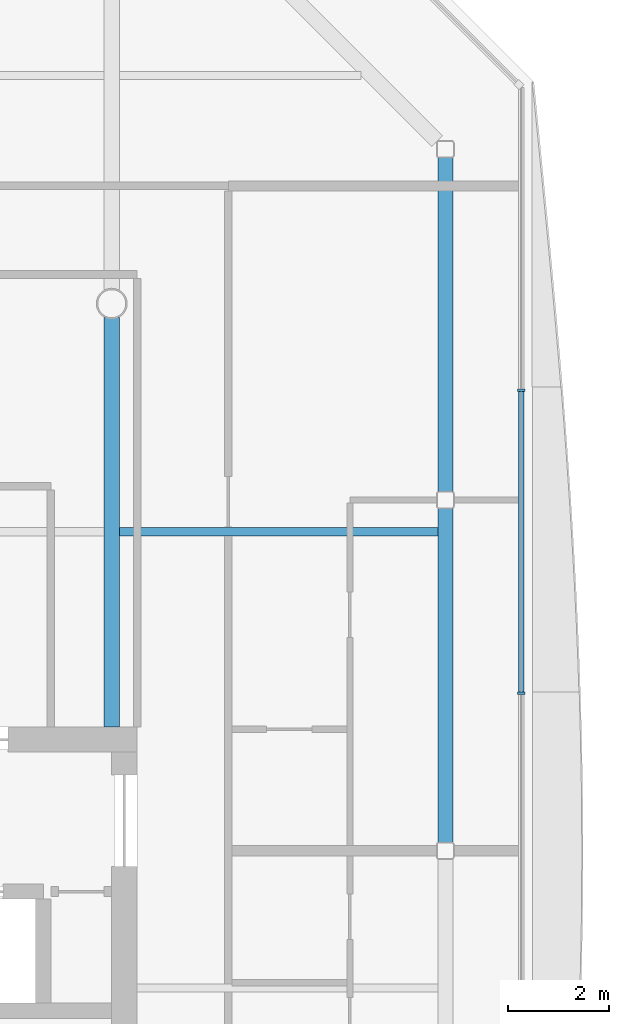
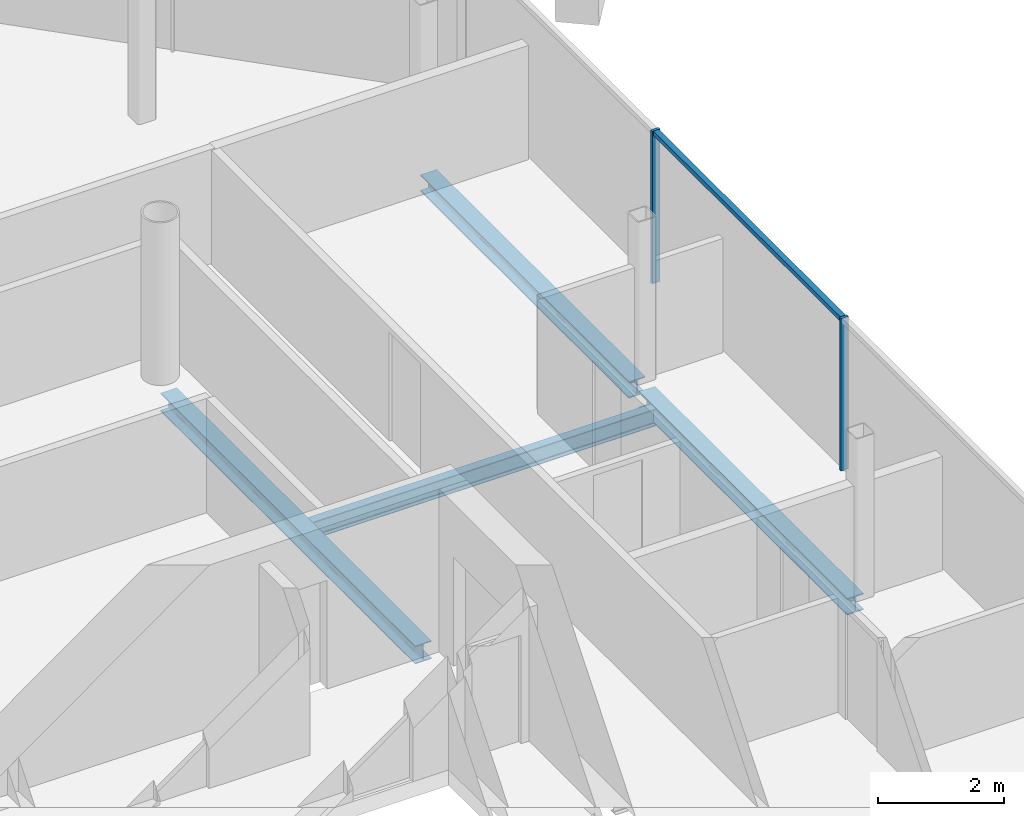
# One storey, part 9 of 20: 4 beams, 3 members, 1 element without a shape of its own.
"""IFC4 building model written with IfcOpenShell, lengths in metres."""

from ifc_helpers import new_model, si_unit, direction, frame, origin, origin_2d, place, context, subcontext, project, spatial, rectangle, i_section, extrude, material, material_profile, profile_set, type_object, element, aggregate, save


model = new_model("IFC4")

# Units and contexts
model_context = context("Model", 3, precision=1e-05, world=origin(), true_north=direction((0.0, 1.0)))
body_context = subcontext(model_context, "Body", "Model", "MODEL_VIEW")
ifc_project = project(units=[si_unit("LENGTHUNIT", "METRE"), si_unit("AREAUNIT", "SQUARE_METRE"), si_unit("VOLUMEUNIT", "CUBIC_METRE"), si_unit("PLANEANGLEUNIT", "RADIAN"), si_unit("MASSUNIT", "GRAM", prefix="KILO")], contexts=[model_context])

# Site, building, storey
site_placement = place(None, origin())
site = spatial("IfcSite", under=ifc_project, at=site_placement, CompositionType="ELEMENT")
building_placement = place(site_placement, origin())
building = spatial("IfcBuilding", under=site, at=building_placement, Name="Tskaro Facet Tower", CompositionType="ELEMENT")
storey_placement = place(building_placement, frame((0.0, 0.0, 197.39990234375)))
storey = spatial("IfcBuildingStorey", under=building, at=storey_placement, Name="L50", CompositionType="ELEMENT", Elevation=197.39990234375)

# Curtain wall, members
ifc_material_1 = material(Name="Bronze anodised aluminium 6063-T6", Category="aluminium")
curtain_wall_type = type_object("IfcCurtainWallType", Name="Bronze residence curtain wall (FW3)", PredefinedType="NOTDEFINED", material=ifc_material_1)
curtain_wall_placement = place(storey_placement, origin())
curtain_wall = element("IfcCurtainWall", 1, at=curtain_wall_placement, inside=storey, type_object=curtain_wall_type, Name="FW3 east facet L50", PredefinedType="NOTDEFINED")
ifc_material_profile_1 = material_profile(ifc_material_1, rectangle(XDim=0.050048828125, YDim=0.139892578125, at=origin_2d()), Name="Mullion 50x140")
ifc_profile_set_1 = profile_set([ifc_material_profile_1], Name="Bronze anodised aluminium 6063-T6")
member_type_1 = type_object("IfcMemberType", Name="FW3 bronze mullion 50x140", PredefinedType="MULLION", material=ifc_profile_set_1)
member_1_placement = place(storey_placement, frame((17.080078125, 1.314697265625, 0.0), z_axis=(0.0, 0.0, 1.0), x_axis=(0.0, 1.0, 0.0)))
member_1 = element("IfcMember", 2, at=member_1_placement, type_object=member_type_1, Name="FW3 east mullion 3", PredefinedType="MULLION", context=body_context, shape_type="SweptSolid", body=[
    extrude(rectangle(XDim=0.050048828125, YDim=0.139892578125, at=origin_2d()), origin(), (0.0, 0.0, 1.0), 2.9501953125),
])
member_2_placement = place(storey_placement, frame((17.080078125, 7.29248046875, 0.0), z_axis=(0.0, 0.0, 1.0), x_axis=(0.0, 1.0, 0.0)))
member_2 = element("IfcMember", 3, at=member_2_placement, type_object=member_type_1, Name="FW3 east mullion 4", PredefinedType="MULLION", context=body_context, shape_type="SweptSolid", body=[
    extrude(rectangle(XDim=0.050048828125, YDim=0.139892578125, at=origin_2d()), origin(), (0.0, 0.0, 1.0), 2.9501953125),
])
ifc_material_profile_2 = material_profile(ifc_material_1, rectangle(XDim=0.10009765625, YDim=0.090087890625, at=origin_2d()), Name="Transom 100x90")
ifc_profile_set_2 = profile_set([ifc_material_profile_2], Name="Bronze anodised aluminium 6063-T6")
member_type_2 = type_object("IfcMemberType", Name="FW3 bronze transom 100x90", PredefinedType="USERDEFINED", material=ifc_profile_set_2)
member_3_placement = place(storey_placement, frame((17.080078125, 1.33984375, 2.905029296875), z_axis=(0.0, 1.0, 0.0), x_axis=(-1.0, 0.0, 0.0)))
member_3 = element("IfcMember", 4, at=member_3_placement, type_object=member_type_2, Name="FW3 east transom 4.1", ObjectType="TRANSOM", PredefinedType="USERDEFINED", context=body_context, shape_type="SweptSolid", body=[
    extrude(rectangle(XDim=0.10009765625, YDim=0.090087890625, at=origin_2d()), origin(), (0.0, 0.0, 1.0), 5.927490234375),
])
aggregate(curtain_wall, [member_1, member_2, member_3])

# Beams
ifc_material_2 = material(Name="Steel S355J2", Category="steel")
ifc_material_profile_3 = material_profile(ifc_material_2, i_section(OverallWidth=0.300048828125, OverallDepth=0.320068359375, WebThickness=0.011474609375, FlangeThickness=0.0205078125, FilletRadius=0.027099609375, at=origin_2d()), Name="HE 320 B")
ifc_profile_set_3 = profile_set([ifc_material_profile_3], Name="Steel S355J2")
beam_type_1 = type_object("IfcBeamType", Name="HE 320 B ring beam", PredefinedType="BEAM", material=ifc_profile_set_3)
beam_1_placement = place(storey_placement, frame((15.5830078125, -1.637939453125, -0.2998046875), z_axis=(0.0, 1.0, 0.0), x_axis=(-1.0, 0.0, 0.0)))
element("IfcBeam", 5, at=beam_1_placement, inside=storey, type_object=beam_type_1, Name="HE 320 B EB8-4", PredefinedType="BEAM", context=body_context, shape_type="SweptSolid", body=[
    extrude(i_section(OverallWidth=0.300048828125, OverallDepth=0.320068359375, WebThickness=0.011474609375, FlangeThickness=0.0205078125, FilletRadius=0.027099609375, at=origin_2d()), origin(), (0.0, 0.0, 1.0), 6.60888671875),
])
beam_2_placement = place(storey_placement, frame((15.5830078125, 5.281005859375, -0.2998046875), z_axis=(0.0, 1.0, 0.0), x_axis=(-1.0, 0.0, 0.0)))
element("IfcBeam", 6, at=beam_2_placement, inside=storey, type_object=beam_type_1, Name="HE 320 B EB9-4", PredefinedType="BEAM", context=body_context, shape_type="SweptSolid", body=[
    extrude(i_section(OverallWidth=0.300048828125, OverallDepth=0.320068359375, WebThickness=0.011474609375, FlangeThickness=0.0205078125, FilletRadius=0.027099609375, at=origin_2d()), origin(), (0.0, 0.0, 1.0), 6.610107421875),
])
ifc_material_profile_4 = material_profile(ifc_material_2, i_section(OverallWidth=0.300048828125, OverallDepth=0.35009765625, WebThickness=0.010009765625, FlangeThickness=0.017578125, FilletRadius=0.027099609375, at=origin_2d()), Name="HE 360 A")
ifc_profile_set_4 = profile_set([ifc_material_profile_4], Name="Steel S355J2")
beam_type_2 = type_object("IfcBeamType", Name="HE 360 A girder", PredefinedType="BEAM", material=ifc_profile_set_4)
beam_3_placement = place(storey_placement, frame((9.0, 0.64990234375, -0.31494140625), z_axis=(0.0, 1.0, 0.0), x_axis=(-1.0, 0.0, 0.0)))
element("IfcBeam", 7, at=beam_3_placement, inside=storey, type_object=beam_type_2, Name="HE 360 A GB5-2-4", PredefinedType="BEAM", context=body_context, shape_type="SweptSolid", body=[
    extrude(i_section(OverallWidth=0.300048828125, OverallDepth=0.35009765625, WebThickness=0.010009765625, FlangeThickness=0.017578125, FilletRadius=0.027099609375, at=origin_2d()), origin(), (0.0, 0.0, 1.0), 8.0751953125),
])
ifc_material_profile_5 = material_profile(ifc_material_2, i_section(OverallWidth=0.159912109375, OverallDepth=0.330078125, WebThickness=0.007568359375, FlangeThickness=0.011474609375, FilletRadius=0.01806640625, at=origin_2d()), Name="IPE 330")
ifc_profile_set_5 = profile_set([ifc_material_profile_5], Name="Steel S355J2")
beam_type_3 = type_object("IfcBeamType", Name="IPE 330 secondary beam", PredefinedType="BEAM", material=ifc_profile_set_5)
beam_4_placement = place(storey_placement, frame((9.14990234375, 4.5, -0.304931640625), z_axis=(1.0, 0.0, 0.0), x_axis=(0.0, 1.0, 0.0)))
element("IfcBeam", 8, at=beam_4_placement, inside=storey, type_object=beam_type_3, Name="IPE 330 SB4a-5-4", PredefinedType="BEAM", context=body_context, shape_type="SweptSolid", body=[
    extrude(i_section(OverallWidth=0.159912109375, OverallDepth=0.330078125, WebThickness=0.007568359375, FlangeThickness=0.011474609375, FilletRadius=0.01806640625, at=origin_2d()), origin(), (0.0, 0.0, 1.0), 6.283203125),
])

save(model, "model.ifc")
